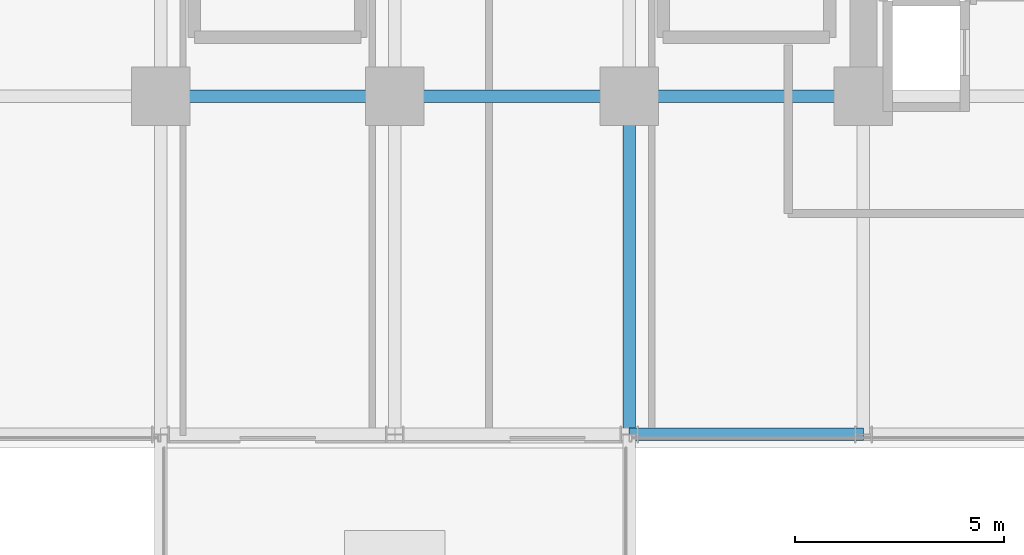
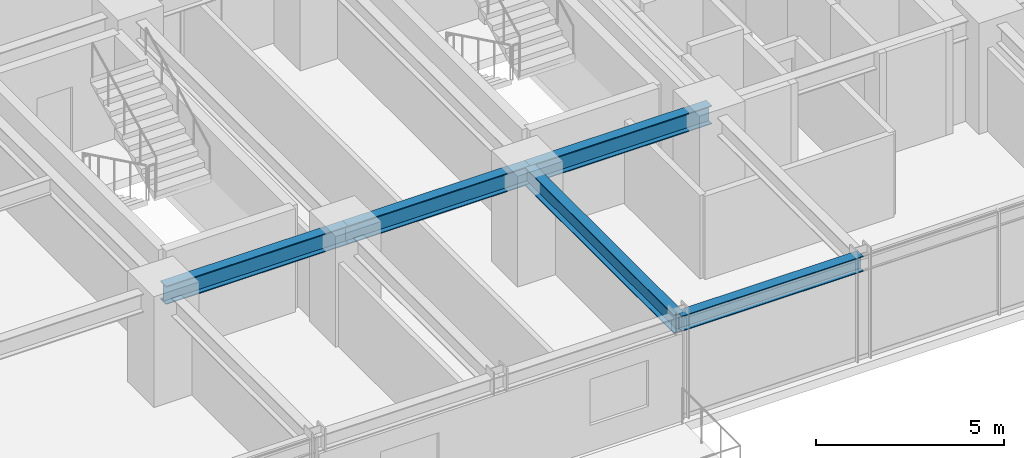
# One storey, part 6 of 36: 5 beams.
"""IFC4 building model written with IfcOpenShell, lengths in metres."""

from ifc_helpers import new_model, si_unit, direction, frame, origin, origin_2d, place, context, subcontext, project, spatial, i_section, extrude, source, transform, mapped, material, material_profile, profile_set, type_object, element, save


model = new_model("IFC4")

# Units and contexts
model_context = context("Model", 3, precision=1e-05, world=origin(), true_north=direction((0.0, 1.0)))
body_context = subcontext(model_context, "Body", "Model", "MODEL_VIEW")
ifc_project = project(units=[si_unit("LENGTHUNIT", "METRE"), si_unit("AREAUNIT", "SQUARE_METRE"), si_unit("VOLUMEUNIT", "CUBIC_METRE"), si_unit("PLANEANGLEUNIT", "RADIAN"), si_unit("MASSUNIT", "GRAM", prefix="KILO")], contexts=[model_context])

# Site, building, storey
site_placement = place(None, origin())
site = spatial("IfcSite", under=ifc_project, at=site_placement, CompositionType="ELEMENT")
building_placement = place(site_placement, origin())
building = spatial("IfcBuilding", under=site, at=building_placement, Name="Nahalor Promenade Grand Hotel", CompositionType="ELEMENT")
storey_placement = place(building_placement, frame((0.0, 0.0, 72.550048828125)))
storey = spatial("IfcBuildingStorey", under=building, at=storey_placement, Name="L17", CompositionType="ELEMENT", Elevation=72.550048828125)

# Beams
ifc_material = material(Name="Steel S355JR", Category="steel")
ifc_material_profile_1 = material_profile(ifc_material, i_section(OverallWidth=0.3, OverallDepth=0.6, WebThickness=0.0155, FlangeThickness=0.03, at=origin_2d()), Name="HEB 600")
ifc_profile_set_1 = profile_set([ifc_material_profile_1], Name="Steel S355JR")
beam_type_1 = type_object("IfcBeamType", Name="Beam-Girder-HEB600", PredefinedType="BEAM", material=ifc_profile_set_1)
shared_shape_1 = source(origin(), body_context, "Body", "SweptSolid", [
    extrude(i_section(OverallWidth=0.3, OverallDepth=0.6, WebThickness=0.0155, FlangeThickness=0.03, at=origin_2d()), origin(), (0.0, 0.0, 1.0), 5.599853515625),
])
for number, where, z_axis, x_axis, name in (
    (1, (-8.39990234375, -17.0, 3.070068359375), (1.0, 0.0, 0.0), (0.0, 1.0, 0.0), "BM-L17-GX-0-2"),
    (2, (2.800048828125, -17.0, 3.070068359375), (1.0, 0.0, 0.0), (0.0, 1.0, 0.0), "BM-L17-GX-0-4"),
):
    element("IfcBeam", number, at=place(storey_placement, frame(where, z_axis=z_axis, x_axis=x_axis)), inside=storey, type_object=beam_type_1, Name=name, PredefinedType="BEAM", context=body_context, shape_type="MappedRepresentation", body=[
        mapped(shared_shape_1, transform((0.0, 0.0, 0.0), scale=1.0)),
    ])
shared_shape_2 = source(origin(), body_context, "Body", "SweptSolid", [
    extrude(i_section(OverallWidth=0.3, OverallDepth=0.6, WebThickness=0.0155, FlangeThickness=0.03, at=origin_2d()), origin(), (0.0, 0.0, 1.0), 5.60009765625),
])
beam_1_placement = place(storey_placement, frame((-2.800048828125, -17.0, 3.070068359375), z_axis=(1.0, 0.0, 0.0), x_axis=(0.0, 1.0, 0.0)))
element("IfcBeam", 3, at=beam_1_placement, inside=storey, type_object=beam_type_1, Name="BM-L17-GX-0-3", PredefinedType="BEAM", context=body_context, shape_type="MappedRepresentation", body=[
    mapped(shared_shape_2, transform((0.0, 0.0, 0.0), scale=1.0)),
])
ifc_material_profile_2 = material_profile(ifc_material, i_section(OverallWidth=0.3, OverallDepth=0.5, WebThickness=0.0145, FlangeThickness=0.028, at=origin_2d()), Name="HEB 500")
ifc_profile_set_2 = profile_set([ifc_material_profile_2], Name="Steel S355JR")
beam_type_2 = type_object("IfcBeamType", Name="Beam-Spandrel-HEB500", PredefinedType="SPANDREL", material=ifc_profile_set_2)
shared_shape_3 = source(origin(), body_context, "Body", "SweptSolid", [
    extrude(i_section(OverallWidth=0.3, OverallDepth=0.5, WebThickness=0.0145, FlangeThickness=0.028, at=origin_2d()), origin(), (0.0, 0.0, 1.0), 5.599853515625),
])
beam_2_placement = place(storey_placement, frame((2.800048828125, -25.080078125, 3.119873046875), z_axis=(1.0, 0.0, 0.0), x_axis=(0.0, 1.0, 0.0)))
element("IfcBeam", 4, at=beam_2_placement, inside=storey, type_object=beam_type_2, Name="BM-L17-SP-S-3", PredefinedType="SPANDREL", context=body_context, shape_type="MappedRepresentation", body=[
    mapped(shared_shape_3, transform((0.0, 0.0, 0.0), scale=1.0)),
])
shared_shape_4 = source(origin(), body_context, "Body", "SweptSolid", [
    extrude(i_section(OverallWidth=0.3, OverallDepth=0.6, WebThickness=0.0155, FlangeThickness=0.03, at=origin_2d()), origin(), (0.0, 0.0, 1.0), 8.080078125),
])
beam_3_placement = place(storey_placement, frame((2.800048828125, -25.080078125, 3.070068359375), z_axis=(0.0, 1.0, 0.0), x_axis=(-1.0, 0.0, 0.0)))
element("IfcBeam", 5, at=beam_3_placement, inside=storey, type_object=beam_type_1, Name="BM-L17-GY-3-0", PredefinedType="BEAM", context=body_context, shape_type="MappedRepresentation", body=[
    mapped(shared_shape_4, transform((0.0, 0.0, 0.0), scale=1.0)),
])

save(model, "model.ifc")
